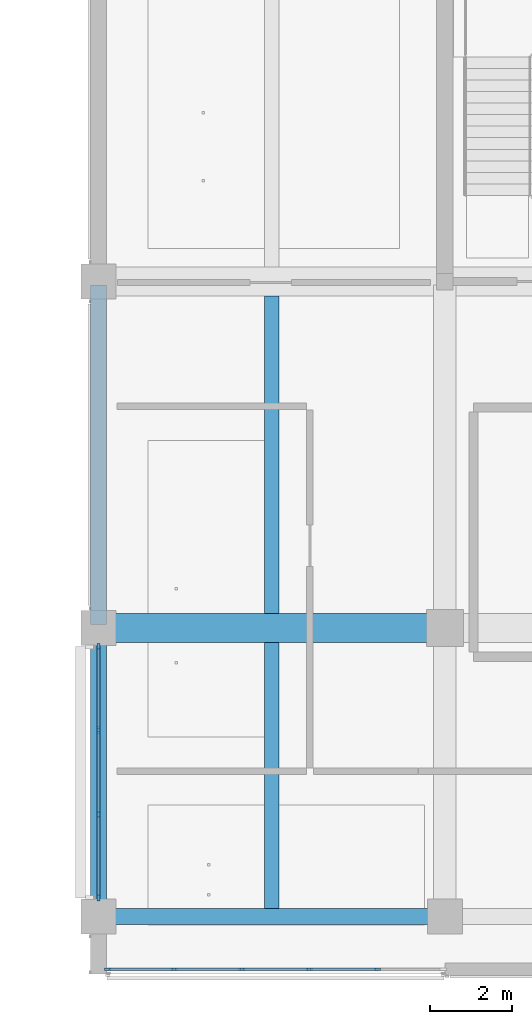
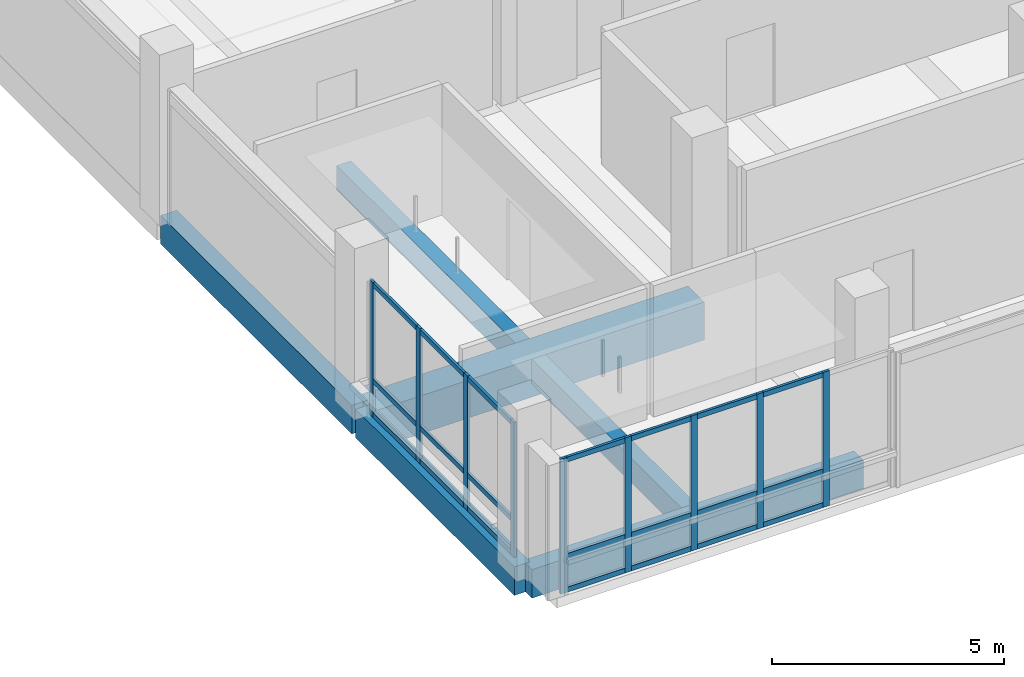
# One storey, part 2 of 39: 30 members, 6 beams, 2 elements without a shape of their own.
"""IFC4 building model written with IfcOpenShell, lengths in metres."""

from ifc_helpers import new_model, si_unit, direction, frame, origin, origin_2d, place, context, subcontext, project, spatial, rectangle, extrude, material, layer, layer_set, material_profile, profile_set, type_object, element, aggregate, save


model = new_model("IFC4")

# Units and contexts
model_context = context("Model", 3, precision=1e-05, world=origin(), true_north=direction((0.0, 1.0)))
body_context = subcontext(model_context, "Body", "Model", "MODEL_VIEW")
ifc_project = project(units=[si_unit("LENGTHUNIT", "METRE"), si_unit("AREAUNIT", "SQUARE_METRE"), si_unit("VOLUMEUNIT", "CUBIC_METRE"), si_unit("PLANEANGLEUNIT", "RADIAN"), si_unit("MASSUNIT", "GRAM", prefix="KILO")], contexts=[model_context])

# Site, building, storey
site_placement = place(None, origin())
site = spatial("IfcSite", under=ifc_project, at=site_placement, CompositionType="ELEMENT")
building_placement = place(site_placement, origin())
building = spatial("IfcBuilding", under=site, at=building_placement, Name="Telukmera Botanical Conservatory", CompositionType="ELEMENT")
storey_placement = place(building_placement, frame((0.0, 0.0, 19.5)))
storey = spatial("IfcBuildingStorey", under=building, at=storey_placement, Name="L04", CompositionType="ELEMENT", Elevation=19.5)

# Beams
ifc_material_1 = material(Name="Concrete C50/60", Category="concrete")
ifc_material_profile_1 = material_profile(ifc_material_1, rectangle(XDim=0.699951171875, YDim=1.0, at=origin_2d()), Name="RC 700x1000")
ifc_profile_set_1 = profile_set([ifc_material_profile_1], Name="Concrete C50/60")
beam_type_1 = type_object("IfcBeamType", Name="Beam_B1", PredefinedType="BEAM", material=ifc_profile_set_1)
beam_1_placement = place(storey_placement, frame((50.47998046875, 17.60009765625, -0.5), z_axis=(1.0, 0.0, 0.0), x_axis=(0.0, 1.0, 0.0)))
element("IfcBeam", 1, at=beam_1_placement, inside=storey, type_object=beam_type_1, Name="Tower Grid Beam L04", PredefinedType="BEAM", context=body_context, shape_type="SweptSolid", body=[
    extrude(rectangle(XDim=0.699951171875, YDim=1.0, at=origin_2d()), origin(), (0.0, 0.0, 1.0), 8.239990234375),
])
ifc_material_2 = material(Name="Concrete C40/50", Category="concrete")
ifc_material_profile_2 = material_profile(ifc_material_2, rectangle(XDim=0.35009765625, YDim=0.64990234375, at=origin_2d()), Name="RC 350x650")
ifc_profile_set_2 = profile_set([ifc_material_profile_2], Name="Concrete C40/50")
beam_type_2 = type_object("IfcBeamType", Name="Beam_B20", PredefinedType="JOIST", material=ifc_profile_set_2)
beam_2_placement = place(storey_placement, frame((54.60009765625, 10.800048828125, -0.324951171875), z_axis=(0.0, 1.0, 0.0), x_axis=(-1.0, 0.0, 0.0)))
element("IfcBeam", 2, at=beam_2_placement, inside=storey, type_object=beam_type_2, Name="Tower Secondary Floor Joist L04", PredefinedType="JOIST", context=body_context, shape_type="SweptSolid", body=[
    extrude(rectangle(XDim=0.35009765625, YDim=0.64990234375, at=origin_2d()), origin(), (0.0, 0.0, 1.0), 6.449951171875),
])
beam_3_placement = place(storey_placement, frame((54.60009765625, 17.949951171875, -0.324951171875), z_axis=(0.0, 1.0, 0.0), x_axis=(-1.0, 0.0, 0.0)))
element("IfcBeam", 3, at=beam_3_placement, inside=storey, type_object=beam_type_2, Name="Tower Secondary Floor Joist L04", PredefinedType="JOIST", context=body_context, shape_type="SweptSolid", body=[
    extrude(rectangle(XDim=0.35009765625, YDim=0.64990234375, at=origin_2d()), origin(), (0.0, 0.0, 1.0), 7.699951171875),
])
ifc_material_3 = material(Name="Precast concrete C40/50", Category="concrete")
ifc_material_profile_3 = material_profile(ifc_material_3, rectangle(XDim=0.39990234375, YDim=0.75, at=origin_2d()), Name="PC 400x750")
ifc_profile_set_3 = profile_set([ifc_material_profile_3], Name="Precast concrete C40/50")
beam_type_3 = type_object("IfcBeamType", Name="Beam_SP1", PredefinedType="SPANDREL", material=ifc_profile_set_3)
beam_4_placement = place(storey_placement, frame((50.47998046875, 10.60009765625, -0.375), z_axis=(1.0, 0.0, 0.0), x_axis=(0.0, 1.0, 0.0)))
element("IfcBeam", 4, at=beam_4_placement, inside=storey, type_object=beam_type_3, Name="Tower Grid Beam L04", PredefinedType="SPANDREL", context=body_context, shape_type="SweptSolid", body=[
    extrude(rectangle(XDim=0.39990234375, YDim=0.75, at=origin_2d()), origin(), (0.0, 0.0, 1.0), 8.239990234375),
])
beam_5_placement = place(storey_placement, frame((50.39990234375, 10.679931640625, -0.375), z_axis=(0.0, 1.0, 0.0), x_axis=(-1.0, 0.0, 0.0)))
element("IfcBeam", 5, at=beam_5_placement, inside=storey, type_object=beam_type_3, Name="Tower Transverse Beam L04", PredefinedType="SPANDREL", context=body_context, shape_type="SweptSolid", body=[
    extrude(rectangle(XDim=0.39990234375, YDim=0.75, at=origin_2d()), origin(), (0.0, 0.0, 1.0), 6.840087890625),
])
beam_6_placement = place(storey_placement, frame((50.39990234375, 17.679931640625, -0.375), z_axis=(0.0, 1.0, 0.0), x_axis=(-1.0, 0.0, 0.0)))
element("IfcBeam", 6, at=beam_6_placement, inside=storey, type_object=beam_type_3, Name="Tower Transverse Beam L04", PredefinedType="SPANDREL", context=body_context, shape_type="SweptSolid", body=[
    extrude(rectangle(XDim=0.39990234375, YDim=0.75, at=origin_2d()), origin(), (0.0, 0.0, 1.0), 8.239990234375),
])

# Curtain wall, members
ifc_material_4 = material(Name="Anodised aluminium 6063-T6", Category="aluminium")
ifc_layer = layer(ifc_material_4, 0.179931640625)
ifc_layer_set = layer_set([ifc_layer], Name="Anodised aluminium 6063-T6")
curtain_wall_type = type_object("IfcCurtainWallType", Name="Tower Herbarium Curation Corner Curtain Wall", PredefinedType="USERDEFINED", material=ifc_layer_set)
curtain_wall_1_placement = place(storey_placement, origin())
curtain_wall_1 = element("IfcCurtainWall", 7, at=curtain_wall_1_placement, inside=storey, type_object=curtain_wall_type, Name="Unitised Curtain Wall CW14 V4:L04:S1", ObjectType="UNITISED CURTAIN WALL", PredefinedType="USERDEFINED")
ifc_material_profile_4 = material_profile(ifc_material_4, rectangle(XDim=0.06494140625, YDim=0.159912109375, at=origin_2d()), Name="ALU MULL 65x160")
ifc_profile_set_4 = profile_set([ifc_material_profile_4], Name="Anodised aluminium 6063-T6")
member_type_1 = type_object("IfcMemberType", Name="Curtain Wall Extruded Mullion 65x160", PredefinedType="MULLION", material=ifc_profile_set_4)
member_1_placement = place(storey_placement, frame((50.62451171875, 9.320068359375, 0.0), z_axis=(0.0, 0.0, 1.0), x_axis=(0.0, 1.0, 0.0)))
member_1 = element("IfcMember", 8, at=member_1_placement, type_object=member_type_1, Name="CW14 mullion 1", PredefinedType="MULLION", context=body_context, shape_type="SweptSolid", body=[
    extrude(rectangle(XDim=0.06494140625, YDim=0.159912109375, at=origin_2d()), origin(), (0.0, 0.0, 1.0), 3.550048828125),
])
member_2_placement = place(storey_placement, frame((52.233154296875, 9.320068359375, 0.0), z_axis=(0.0, 0.0, 1.0), x_axis=(0.0, 1.0, 0.0)))
member_2 = element("IfcMember", 9, at=member_2_placement, type_object=member_type_1, Name="CW14 mullion 2", PredefinedType="MULLION", context=body_context, shape_type="SweptSolid", body=[
    extrude(rectangle(XDim=0.06494140625, YDim=0.159912109375, at=origin_2d()), origin(), (0.0, 0.0, 1.0), 3.550048828125),
])
member_3_placement = place(storey_placement, frame((53.87451171875, 9.320068359375, 0.0), z_axis=(0.0, 0.0, 1.0), x_axis=(0.0, 1.0, 0.0)))
member_3 = element("IfcMember", 10, at=member_3_placement, type_object=member_type_1, Name="CW14 mullion 3", PredefinedType="MULLION", context=body_context, shape_type="SweptSolid", body=[
    extrude(rectangle(XDim=0.06494140625, YDim=0.159912109375, at=origin_2d()), origin(), (0.0, 0.0, 1.0), 3.550048828125),
])
member_4_placement = place(storey_placement, frame((55.515625, 9.320068359375, 0.0), z_axis=(0.0, 0.0, 1.0), x_axis=(0.0, 1.0, 0.0)))
member_4 = element("IfcMember", 11, at=member_4_placement, type_object=member_type_1, Name="CW14 mullion 4", PredefinedType="MULLION", context=body_context, shape_type="SweptSolid", body=[
    extrude(rectangle(XDim=0.06494140625, YDim=0.159912109375, at=origin_2d()), origin(), (0.0, 0.0, 1.0), 3.550048828125),
])
member_5_placement = place(storey_placement, frame((57.15673828125, 9.320068359375, 0.0), z_axis=(0.0, 0.0, 1.0), x_axis=(0.0, 1.0, 0.0)))
member_5 = element("IfcMember", 12, at=member_5_placement, type_object=member_type_1, Name="CW14 mullion 5", PredefinedType="MULLION", context=body_context, shape_type="SweptSolid", body=[
    extrude(rectangle(XDim=0.06494140625, YDim=0.159912109375, at=origin_2d()), origin(), (0.0, 0.0, 1.0), 3.550048828125),
])

curtain_wall_2_placement = place(storey_placement, origin())
curtain_wall_2 = element("IfcCurtainWall", 13, at=curtain_wall_2_placement, inside=storey, type_object=curtain_wall_type, Name="Unitised Curtain Wall CW14 V4:L04:W1", ObjectType="UNITISED CURTAIN WALL", PredefinedType="USERDEFINED")
member_6_placement = place(storey_placement, frame((50.39990234375, 11.0595703125, 0.0), z_axis=(0.0, 0.0, 1.0), x_axis=(-1.0, 0.0, 0.0)))
member_6 = element("IfcMember", 14, at=member_6_placement, type_object=member_type_1, Name="CW14 mullion 1", PredefinedType="MULLION", context=body_context, shape_type="SweptSolid", body=[
    extrude(rectangle(XDim=0.06494140625, YDim=0.159912109375, at=origin_2d()), origin(), (0.0, 0.0, 1.0), 3.550048828125),
])
member_7_placement = place(storey_placement, frame((50.39990234375, 13.07568359375, 0.0), z_axis=(0.0, 0.0, 1.0), x_axis=(-1.0, 0.0, 0.0)))
member_7 = element("IfcMember", 15, at=member_7_placement, type_object=member_type_1, Name="CW14 mullion 2", PredefinedType="MULLION", context=body_context, shape_type="SweptSolid", body=[
    extrude(rectangle(XDim=0.06494140625, YDim=0.159912109375, at=origin_2d()), origin(), (0.0, 0.0, 1.0), 3.550048828125),
])
member_8_placement = place(storey_placement, frame((50.39990234375, 15.124267578125, 0.0), z_axis=(0.0, 0.0, 1.0), x_axis=(-1.0, 0.0, 0.0)))
member_8 = element("IfcMember", 16, at=member_8_placement, type_object=member_type_1, Name="CW14 mullion 3", PredefinedType="MULLION", context=body_context, shape_type="SweptSolid", body=[
    extrude(rectangle(XDim=0.06494140625, YDim=0.159912109375, at=origin_2d()), origin(), (0.0, 0.0, 1.0), 3.550048828125),
])
member_9_placement = place(storey_placement, frame((50.39990234375, 17.140380859375, 0.0), z_axis=(0.0, 0.0, 1.0), x_axis=(-1.0, 0.0, 0.0)))
member_9 = element("IfcMember", 17, at=member_9_placement, type_object=member_type_1, Name="CW14 mullion 4", PredefinedType="MULLION", context=body_context, shape_type="SweptSolid", body=[
    extrude(rectangle(XDim=0.06494140625, YDim=0.159912109375, at=origin_2d()), origin(), (0.0, 0.0, 1.0), 3.550048828125),
])

# Member
ifc_material_profile_5 = material_profile(ifc_material_4, rectangle(XDim=0.06494140625, YDim=0.1298828125, at=origin_2d()), Name="ALU TRAN 65x130")
ifc_profile_set_5 = profile_set([ifc_material_profile_5], Name="Anodised aluminium 6063-T6")
member_type_2 = type_object("IfcMemberType", Name="Curtain Wall Extruded Transom 65x130", PredefinedType="USERDEFINED", material=ifc_profile_set_5)
member_10_placement = place(storey_placement, frame((50.656982421875, 9.320068359375, 0.06494140625), z_axis=(1.0, 0.0, 0.0), x_axis=(0.0, 1.0, 0.0)))
member_10 = element("IfcMember", 18, at=member_10_placement, type_object=member_type_2, Name="CW14 transom 1.1", ObjectType="TRANSOM", PredefinedType="USERDEFINED", context=body_context, shape_type="SweptSolid", body=[
    extrude(rectangle(XDim=0.06494140625, YDim=0.1298828125, at=origin_2d()), origin(), (0.0, 0.0, 1.0), 1.543701171875),
])

member_11_placement = place(storey_placement, frame((50.656982421875, 9.320068359375, 0.949951171875), z_axis=(1.0, 0.0, 0.0), x_axis=(0.0, 1.0, 0.0)))
member_11 = element("IfcMember", 19, at=member_11_placement, type_object=member_type_2, Name="CW14 transom 1.2", ObjectType="TRANSOM", PredefinedType="USERDEFINED", context=body_context, shape_type="SweptSolid", body=[
    extrude(rectangle(XDim=0.06494140625, YDim=0.1298828125, at=origin_2d()), origin(), (0.0, 0.0, 1.0), 1.543701171875),
])

member_12_placement = place(storey_placement, frame((50.656982421875, 9.320068359375, 3.485107421875), z_axis=(1.0, 0.0, 0.0), x_axis=(0.0, 1.0, 0.0)))
member_12 = element("IfcMember", 20, at=member_12_placement, type_object=member_type_2, Name="CW14 transom 1.3", ObjectType="TRANSOM", PredefinedType="USERDEFINED", context=body_context, shape_type="SweptSolid", body=[
    extrude(rectangle(XDim=0.06494140625, YDim=0.1298828125, at=origin_2d()), origin(), (0.0, 0.0, 1.0), 1.543701171875),
])

member_13_placement = place(storey_placement, frame((52.265625, 9.320068359375, 0.06494140625), z_axis=(1.0, 0.0, 0.0), x_axis=(0.0, 1.0, 0.0)))
member_13 = element("IfcMember", 21, at=member_13_placement, type_object=member_type_2, Name="CW14 transom 2.1", ObjectType="TRANSOM", PredefinedType="USERDEFINED", context=body_context, shape_type="SweptSolid", body=[
    extrude(rectangle(XDim=0.06494140625, YDim=0.1298828125, at=origin_2d()), origin(), (0.0, 0.0, 1.0), 1.576171875),
])

member_14_placement = place(storey_placement, frame((52.265625, 9.320068359375, 0.949951171875), z_axis=(1.0, 0.0, 0.0), x_axis=(0.0, 1.0, 0.0)))
member_14 = element("IfcMember", 22, at=member_14_placement, type_object=member_type_2, Name="CW14 transom 2.2", ObjectType="TRANSOM", PredefinedType="USERDEFINED", context=body_context, shape_type="SweptSolid", body=[
    extrude(rectangle(XDim=0.06494140625, YDim=0.1298828125, at=origin_2d()), origin(), (0.0, 0.0, 1.0), 1.576171875),
])

member_15_placement = place(storey_placement, frame((52.265625, 9.320068359375, 3.485107421875), z_axis=(1.0, 0.0, 0.0), x_axis=(0.0, 1.0, 0.0)))
member_15 = element("IfcMember", 23, at=member_15_placement, type_object=member_type_2, Name="CW14 transom 2.3", ObjectType="TRANSOM", PredefinedType="USERDEFINED", context=body_context, shape_type="SweptSolid", body=[
    extrude(rectangle(XDim=0.06494140625, YDim=0.1298828125, at=origin_2d()), origin(), (0.0, 0.0, 1.0), 1.576171875),
])

member_16_placement = place(storey_placement, frame((53.906982421875, 9.320068359375, 0.06494140625), z_axis=(1.0, 0.0, 0.0), x_axis=(0.0, 1.0, 0.0)))
member_16 = element("IfcMember", 24, at=member_16_placement, type_object=member_type_2, Name="CW14 transom 3.1", ObjectType="TRANSOM", PredefinedType="USERDEFINED", context=body_context, shape_type="SweptSolid", body=[
    extrude(rectangle(XDim=0.06494140625, YDim=0.1298828125, at=origin_2d()), origin(), (0.0, 0.0, 1.0), 1.576171875),
])

member_17_placement = place(storey_placement, frame((53.906982421875, 9.320068359375, 0.949951171875), z_axis=(1.0, 0.0, 0.0), x_axis=(0.0, 1.0, 0.0)))
member_17 = element("IfcMember", 25, at=member_17_placement, type_object=member_type_2, Name="CW14 transom 3.2", ObjectType="TRANSOM", PredefinedType="USERDEFINED", context=body_context, shape_type="SweptSolid", body=[
    extrude(rectangle(XDim=0.06494140625, YDim=0.1298828125, at=origin_2d()), origin(), (0.0, 0.0, 1.0), 1.576171875),
])

member_18_placement = place(storey_placement, frame((53.906982421875, 9.320068359375, 3.485107421875), z_axis=(1.0, 0.0, 0.0), x_axis=(0.0, 1.0, 0.0)))
member_18 = element("IfcMember", 26, at=member_18_placement, type_object=member_type_2, Name="CW14 transom 3.3", ObjectType="TRANSOM", PredefinedType="USERDEFINED", context=body_context, shape_type="SweptSolid", body=[
    extrude(rectangle(XDim=0.06494140625, YDim=0.1298828125, at=origin_2d()), origin(), (0.0, 0.0, 1.0), 1.576171875),
])

member_19_placement = place(storey_placement, frame((55.548095703125, 9.320068359375, 0.06494140625), z_axis=(1.0, 0.0, 0.0), x_axis=(0.0, 1.0, 0.0)))
member_19 = element("IfcMember", 27, at=member_19_placement, type_object=member_type_2, Name="CW14 transom 4.1", ObjectType="TRANSOM", PredefinedType="USERDEFINED", context=body_context, shape_type="SweptSolid", body=[
    extrude(rectangle(XDim=0.06494140625, YDim=0.1298828125, at=origin_2d()), origin(), (0.0, 0.0, 1.0), 1.576171875),
])

member_20_placement = place(storey_placement, frame((55.548095703125, 9.320068359375, 0.949951171875), z_axis=(1.0, 0.0, 0.0), x_axis=(0.0, 1.0, 0.0)))
member_20 = element("IfcMember", 28, at=member_20_placement, type_object=member_type_2, Name="CW14 transom 4.2", ObjectType="TRANSOM", PredefinedType="USERDEFINED", context=body_context, shape_type="SweptSolid", body=[
    extrude(rectangle(XDim=0.06494140625, YDim=0.1298828125, at=origin_2d()), origin(), (0.0, 0.0, 1.0), 1.576171875),
])

member_21_placement = place(storey_placement, frame((55.548095703125, 9.320068359375, 3.485107421875), z_axis=(1.0, 0.0, 0.0), x_axis=(0.0, 1.0, 0.0)))
member_21 = element("IfcMember", 29, at=member_21_placement, type_object=member_type_2, Name="CW14 transom 4.3", ObjectType="TRANSOM", PredefinedType="USERDEFINED", context=body_context, shape_type="SweptSolid", body=[
    extrude(rectangle(XDim=0.06494140625, YDim=0.1298828125, at=origin_2d()), origin(), (0.0, 0.0, 1.0), 1.576171875),
])

aggregate(curtain_wall_1, [member_1, member_2, member_3, member_4, member_5, member_10, member_11, member_12, member_13, member_14, member_15, member_16, member_17, member_18, member_19, member_20, member_21])

member_22_placement = place(storey_placement, frame((50.39990234375, 11.092041015625, 0.06494140625), z_axis=(0.0, 1.0, 0.0), x_axis=(-1.0, 0.0, 0.0)))
member_22 = element("IfcMember", 30, at=member_22_placement, type_object=member_type_2, Name="CW14 transom 1.1", ObjectType="TRANSOM", PredefinedType="USERDEFINED", context=body_context, shape_type="SweptSolid", body=[
    extrude(rectangle(XDim=0.06494140625, YDim=0.1298828125, at=origin_2d()), origin(), (0.0, 0.0, 1.0), 1.951171875),
])

member_23_placement = place(storey_placement, frame((50.39990234375, 11.092041015625, 0.949951171875), z_axis=(0.0, 1.0, 0.0), x_axis=(-1.0, 0.0, 0.0)))
member_23 = element("IfcMember", 31, at=member_23_placement, type_object=member_type_2, Name="CW14 transom 1.2", ObjectType="TRANSOM", PredefinedType="USERDEFINED", context=body_context, shape_type="SweptSolid", body=[
    extrude(rectangle(XDim=0.06494140625, YDim=0.1298828125, at=origin_2d()), origin(), (0.0, 0.0, 1.0), 1.951171875),
])

member_24_placement = place(storey_placement, frame((50.39990234375, 11.092041015625, 3.485107421875), z_axis=(0.0, 1.0, 0.0), x_axis=(-1.0, 0.0, 0.0)))
member_24 = element("IfcMember", 32, at=member_24_placement, type_object=member_type_2, Name="CW14 transom 1.3", ObjectType="TRANSOM", PredefinedType="USERDEFINED", context=body_context, shape_type="SweptSolid", body=[
    extrude(rectangle(XDim=0.06494140625, YDim=0.1298828125, at=origin_2d()), origin(), (0.0, 0.0, 1.0), 1.951171875),
])

member_25_placement = place(storey_placement, frame((50.39990234375, 13.108154296875, 0.06494140625), z_axis=(0.0, 1.0, 0.0), x_axis=(-1.0, 0.0, 0.0)))
member_25 = element("IfcMember", 33, at=member_25_placement, type_object=member_type_2, Name="CW14 transom 2.1", ObjectType="TRANSOM", PredefinedType="USERDEFINED", context=body_context, shape_type="SweptSolid", body=[
    extrude(rectangle(XDim=0.06494140625, YDim=0.1298828125, at=origin_2d()), origin(), (0.0, 0.0, 1.0), 1.983642578125),
])

member_26_placement = place(storey_placement, frame((50.39990234375, 13.108154296875, 0.949951171875), z_axis=(0.0, 1.0, 0.0), x_axis=(-1.0, 0.0, 0.0)))
member_26 = element("IfcMember", 34, at=member_26_placement, type_object=member_type_2, Name="CW14 transom 2.2", ObjectType="TRANSOM", PredefinedType="USERDEFINED", context=body_context, shape_type="SweptSolid", body=[
    extrude(rectangle(XDim=0.06494140625, YDim=0.1298828125, at=origin_2d()), origin(), (0.0, 0.0, 1.0), 1.983642578125),
])

member_27_placement = place(storey_placement, frame((50.39990234375, 13.108154296875, 3.485107421875), z_axis=(0.0, 1.0, 0.0), x_axis=(-1.0, 0.0, 0.0)))
member_27 = element("IfcMember", 35, at=member_27_placement, type_object=member_type_2, Name="CW14 transom 2.3", ObjectType="TRANSOM", PredefinedType="USERDEFINED", context=body_context, shape_type="SweptSolid", body=[
    extrude(rectangle(XDim=0.06494140625, YDim=0.1298828125, at=origin_2d()), origin(), (0.0, 0.0, 1.0), 1.983642578125),
])

member_28_placement = place(storey_placement, frame((50.39990234375, 15.15673828125, 0.06494140625), z_axis=(0.0, 1.0, 0.0), x_axis=(-1.0, 0.0, 0.0)))
member_28 = element("IfcMember", 36, at=member_28_placement, type_object=member_type_2, Name="CW14 transom 3.1", ObjectType="TRANSOM", PredefinedType="USERDEFINED", context=body_context, shape_type="SweptSolid", body=[
    extrude(rectangle(XDim=0.06494140625, YDim=0.1298828125, at=origin_2d()), origin(), (0.0, 0.0, 1.0), 1.951171875),
])

member_29_placement = place(storey_placement, frame((50.39990234375, 15.15673828125, 0.949951171875), z_axis=(0.0, 1.0, 0.0), x_axis=(-1.0, 0.0, 0.0)))
member_29 = element("IfcMember", 37, at=member_29_placement, type_object=member_type_2, Name="CW14 transom 3.2", ObjectType="TRANSOM", PredefinedType="USERDEFINED", context=body_context, shape_type="SweptSolid", body=[
    extrude(rectangle(XDim=0.06494140625, YDim=0.1298828125, at=origin_2d()), origin(), (0.0, 0.0, 1.0), 1.951171875),
])

member_30_placement = place(storey_placement, frame((50.39990234375, 15.15673828125, 3.485107421875), z_axis=(0.0, 1.0, 0.0), x_axis=(-1.0, 0.0, 0.0)))
member_30 = element("IfcMember", 38, at=member_30_placement, type_object=member_type_2, Name="CW14 transom 3.3", ObjectType="TRANSOM", PredefinedType="USERDEFINED", context=body_context, shape_type="SweptSolid", body=[
    extrude(rectangle(XDim=0.06494140625, YDim=0.1298828125, at=origin_2d()), origin(), (0.0, 0.0, 1.0), 1.951171875),
])

aggregate(curtain_wall_2, [member_6, member_7, member_8, member_9, member_22, member_23, member_24, member_25, member_26, member_27, member_28, member_29, member_30])

save(model, "model.ifc")
